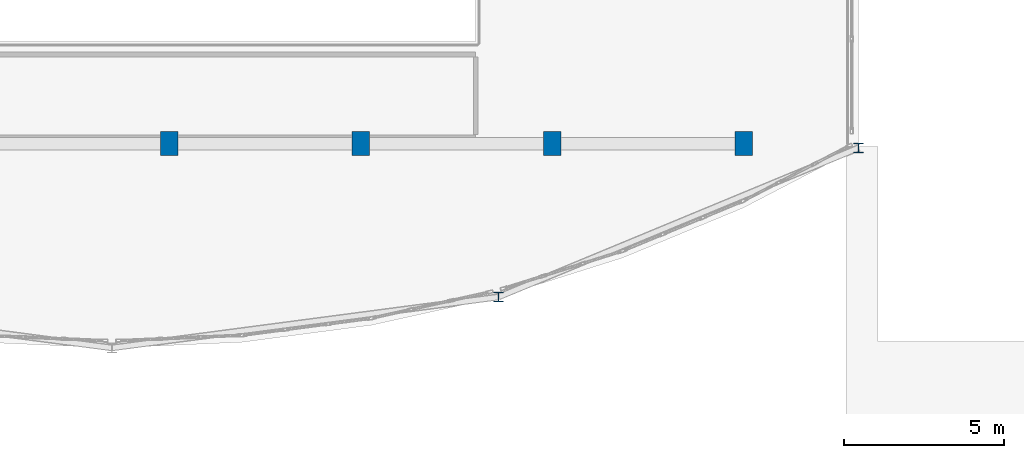
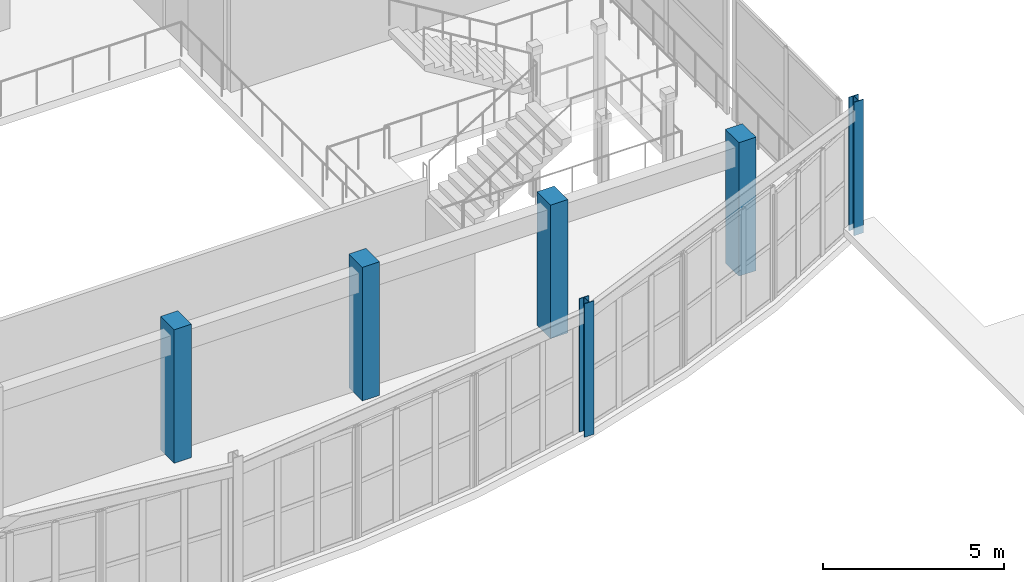
# One storey, part 2 of 92: 6 columns.
"""IFC4 building model written with IfcOpenShell, lengths in metres."""

from ifc_helpers import new_model, si_unit, direction, frame, origin, origin_2d, place, context, subcontext, project, spatial, rectangle, i_section, extrude, material, material_profile, profile_set, type_object, element, save


model = new_model("IFC4")

# Units and contexts
model_context = context("Model", 3, precision=1e-05, world=origin(), true_north=direction((0.0, 1.0)))
body_context = subcontext(model_context, "Body", "Model", "MODEL_VIEW")
ifc_project = project(units=[si_unit("LENGTHUNIT", "METRE"), si_unit("AREAUNIT", "SQUARE_METRE"), si_unit("VOLUMEUNIT", "CUBIC_METRE"), si_unit("PLANEANGLEUNIT", "RADIAN"), si_unit("MASSUNIT", "GRAM", prefix="KILO")], contexts=[model_context])

# Site, building, storey
site_placement = place(None, origin())
site = spatial("IfcSite", under=ifc_project, at=site_placement, CompositionType="ELEMENT")
building_placement = place(site_placement, origin())
building = spatial("IfcBuilding", under=site, at=building_placement, Name="Tarnavel Promenade Courthouse", CompositionType="ELEMENT")
storey_placement = place(building_placement, frame((0.0, 0.0, 5.39990234375)))
storey = spatial("IfcBuildingStorey", under=building, at=storey_placement, Name="L02", CompositionType="ELEMENT", Elevation=5.39990234375)

# Columns
ifc_material_1 = material(Name="Concrete C40/50", Category="concrete")
ifc_material_profile_1 = material_profile(ifc_material_1, rectangle(XDim=0.550048828125, YDim=0.75, at=origin_2d()), Name="RC 550x750")
ifc_profile_set_1 = profile_set([ifc_material_profile_1], Name="Concrete C40/50")
column_type_1 = type_object("IfcColumnType", Name="Concrete C40/50 COL-RC550x750 (RC 550x750)", PredefinedType="COLUMN", material=ifc_profile_set_1)
for number, where, z_axis, x_axis, name in (
    (1, (33.60009765625, 14.800048828125, 0.0), (0.0, 0.0, 1.0), (1.0, 0.0, 0.0), "L02 Structural Column 0680"),
    (2, (39.60009765625, 14.800048828125, 0.0), (0.0, 0.0, 1.0), (1.0, 0.0, 0.0), "L02 Structural Column 0688"),
    (3, (45.60009765625, 14.800048828125, 0.0), (0.0, 0.0, 1.0), (1.0, 0.0, 0.0), "L02 Structural Column 0696"),
    (4, (51.60009765625, 14.800048828125, 0.0), (0.0, 0.0, 1.0), (1.0, 0.0, 0.0), "L02 Structural Column 0704"),
):
    element("IfcColumn", number, at=place(storey_placement, frame(where, z_axis=z_axis, x_axis=x_axis)), inside=storey, type_object=column_type_1, Name=name, PredefinedType="COLUMN", context=body_context, shape_type="SweptSolid", body=[
        extrude(rectangle(XDim=0.550048828125, YDim=0.75, at=origin_2d()), origin(), (0.0, 0.0, 1.0), 4.5),
    ])
ifc_material_2 = material(Name="Steel S355J2", Category="steel")
ifc_material_profile_2 = material_profile(ifc_material_2, i_section(OverallWidth=0.300048828125, OverallDepth=0.300048828125, WebThickness=0.010986328125, FlangeThickness=0.01904296875, FilletRadius=0.027099609375, at=origin_2d()), Name="HEB 300")
ifc_profile_set_2 = profile_set([ifc_material_profile_2], Name="Steel S355J2")
column_type_2 = type_object("IfcColumnType", Name="Steel S355J2 COL-STL-HEB300 (HEB 300)", PredefinedType="COLUMN", material=ifc_profile_set_2)
for number, where, z_axis, x_axis, name in (
    (5, (43.91259765625, 9.99462890625, 0.0), (0.0, 0.0, 1.0), (1.0, 0.0, 0.0), "L02 Structural Column 0720"),
    (6, (55.199951171875, 14.669921875, 0.0), (0.0, 0.0, 1.0), (1.0, 0.0, 0.0), "L02 Structural Column 0724"),
):
    element("IfcColumn", number, at=place(storey_placement, frame(where, z_axis=z_axis, x_axis=x_axis)), inside=storey, type_object=column_type_2, Name=name, PredefinedType="COLUMN", context=body_context, shape_type="SweptSolid", body=[
        extrude(i_section(OverallWidth=0.300048828125, OverallDepth=0.300048828125, WebThickness=0.010986328125, FlangeThickness=0.01904296875, FilletRadius=0.027099609375, at=origin_2d()), origin(), (0.0, 0.0, 1.0), 4.5),
    ])

save(model, "model.ifc")
